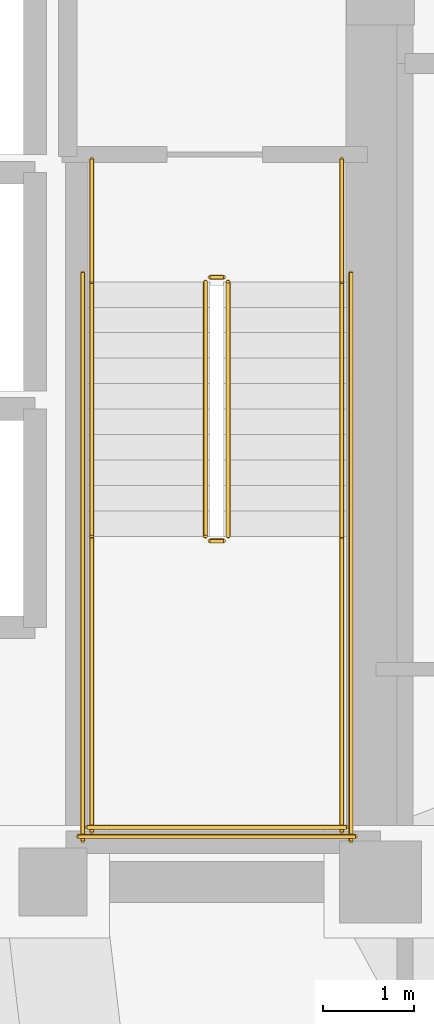
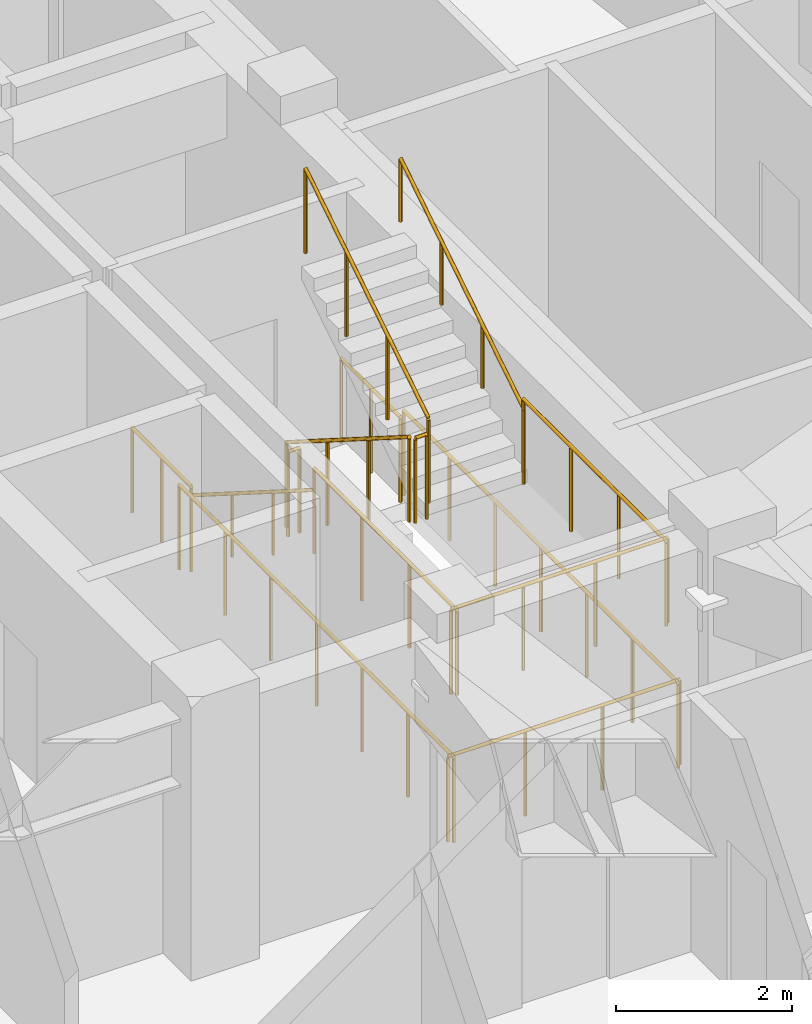
# One storey, part 13 of 13: 14 railings.
"""IFC4 building model written with IfcOpenShell, lengths in metres."""

from ifc_helpers import new_model, si_unit, direction, frame, origin, origin_2d, place, context, subcontext, project, spatial, circle, extrude, material, type_object, element, save


model = new_model("IFC4")

# Units and contexts
model_context = context("Model", 3, precision=1e-05, world=origin(), true_north=direction((0.0, 1.0)))
body_context = subcontext(model_context, "Body", "Model", "MODEL_VIEW")
ifc_project = project(units=[si_unit("LENGTHUNIT", "METRE"), si_unit("AREAUNIT", "SQUARE_METRE"), si_unit("VOLUMEUNIT", "CUBIC_METRE"), si_unit("PLANEANGLEUNIT", "RADIAN"), si_unit("MASSUNIT", "GRAM", prefix="KILO")], contexts=[model_context])

# Site, building, storey
site_placement = place(None, origin())
site = spatial("IfcSite", under=ifc_project, at=site_placement, CompositionType="ELEMENT")
building_placement = place(site_placement, origin())
building = spatial("IfcBuilding", under=site, at=building_placement, Name="Voryun Gate Residences", CompositionType="ELEMENT")
storey_placement = place(building_placement, frame((0.0, 0.0, 191.10009765625)))
storey = spatial("IfcBuildingStorey", under=building, at=storey_placement, Name="L47", CompositionType="ELEMENT", Elevation=191.10009765625)

# Railings
ifc_material_1 = material(Name="Painted steel", Category="steel")
railing_type_1 = type_object("IfcRailingType", Name="RAIL_STAIR_GUARD_1200", PredefinedType="GUARDRAIL", material=ifc_material_1)
railing_1_placement = place(storey_placement, frame((17.27490234375, -0.800048828125, 0.17724609375)))
element("IfcRailing", 1, at=railing_1_placement, inside=storey, type_object=railing_type_1, Name="L47 ST-E1 stair guard 1", PredefinedType="GUARDRAIL", context=body_context, shape_type="SweptSolid", body=[
    extrude(circle(Radius=0.02392578125, at=origin_2d()), frame((0.0, 0.0, 1.17578125), z_axis=(0.0, -0.844908973607, 0.534910110503), x_axis=(1.0, 0.0, 0.0)), (0.0, 0.0, 1.0), 3.31396484375),
    extrude(circle(Radius=0.02099609375, at=origin_2d()), origin(), (0.0, 0.0, 1.0), 1.15185546875),
    extrude(circle(Radius=0.02099609375, at=origin_2d()), frame((0.0, -0.933349609375, 0.5908203125)), (0.0, 0.0, 1.0), 1.15185546875),
    extrude(circle(Radius=0.02099609375, at=origin_2d()), frame((0.0, -1.86669921875, 1.181884765625)), (0.0, 0.0, 1.0), 1.15185546875),
    extrude(circle(Radius=0.02099609375, at=origin_2d()), frame((0.0, -2.800048828125, 1.772705078125)), (0.0, 0.0, 1.0), 1.15185546875),
])
railing_2_placement = place(storey_placement, frame((17.324951171875, -3.64990234375, 1.949951171875)))
element("IfcRailing", 2, at=railing_2_placement, inside=storey, type_object=railing_type_1, Name="L47 ST-E1 stair guard 2", PredefinedType="GUARDRAIL", context=body_context, shape_type="SweptSolid", body=[
    extrude(circle(Radius=0.02392578125, at=origin_2d()), frame((0.0, 0.0, 1.17578125), z_axis=(1.0, 0.0, 0.0), x_axis=(0.0, 1.0, 0.0)), (0.0, 0.0, 1.0), 0.150146484375),
    extrude(circle(Radius=0.02099609375, at=origin_2d()), origin(), (0.0, 0.0, 1.0), 1.15185546875),
    extrude(circle(Radius=0.02099609375, at=origin_2d()), frame((0.150146484375, 0.0, 0.0)), (0.0, 0.0, 1.0), 1.15185546875),
])
for number, where, name in (
    (3, (16.02490234375, -3.60009765625, 1.949951171875), "L47 ST-E1 stair guard 3"),
    (4, (18.77490234375, -3.60009765625, 1.949951171875), "L47 ST-E1 stair guard 4"),
):
    element("IfcRailing", number, at=place(storey_placement, frame(where)), inside=storey, type_object=railing_type_1, Name=name, PredefinedType="GUARDRAIL", context=body_context, shape_type="SweptSolid", body=[
        extrude(circle(Radius=0.02392578125, at=origin_2d()), frame((0.0, 0.0, 1.17578125), z_axis=(0.0, -1.0, 0.0), x_axis=(1.0, 0.0, 0.0)), (0.0, 0.0, 1.0), 3.25),
        extrude(circle(Radius=0.02099609375, at=origin_2d()), origin(), (0.0, 0.0, 1.0), 1.15185546875),
        extrude(circle(Radius=0.02099609375, at=origin_2d()), frame((0.0, -1.083251953125, 0.0)), (0.0, 0.0, 1.0), 1.15185546875),
        extrude(circle(Radius=0.02099609375, at=origin_2d()), frame((0.0, -2.166748046875, 0.0)), (0.0, 0.0, 1.0), 1.15185546875),
        extrude(circle(Radius=0.02099609375, at=origin_2d()), frame((0.0, -3.25, 0.0)), (0.0, 0.0, 1.0), 1.15185546875),
    ])
railing_3_placement = place(storey_placement, frame((15.97509765625, -6.800048828125, 1.949951171875)))
element("IfcRailing", 5, at=railing_3_placement, inside=storey, type_object=railing_type_1, Name="L47 ST-E1 stair guard 5", PredefinedType="GUARDRAIL", context=body_context, shape_type="SweptSolid", body=[
    extrude(circle(Radius=0.02392578125, at=origin_2d()), frame((0.0, 0.0, 1.17578125), z_axis=(1.0, 0.0, 0.0), x_axis=(0.0, 1.0, 0.0)), (0.0, 0.0, 1.0), 2.849853515625),
    extrude(circle(Radius=0.02099609375, at=origin_2d()), origin(), (0.0, 0.0, 1.0), 1.15185546875),
    extrude(circle(Radius=0.02099609375, at=origin_2d()), frame((0.949951171875, 0.0, 0.0)), (0.0, 0.0, 1.0), 1.15185546875),
    extrude(circle(Radius=0.02099609375, at=origin_2d()), frame((1.89990234375, 0.0, 0.0)), (0.0, 0.0, 1.0), 1.15185546875),
    extrude(circle(Radius=0.02099609375, at=origin_2d()), frame((2.849853515625, 0.0, 0.0)), (0.0, 0.0, 1.0), 1.15185546875),
])
railing_4_placement = place(storey_placement, frame((17.52490234375, -3.60009765625, 2.127197265625)))
element("IfcRailing", 6, at=railing_4_placement, inside=storey, type_object=railing_type_1, Name="L47 ST-E1 stair guard 6", PredefinedType="GUARDRAIL", context=body_context, shape_type="SweptSolid", body=[
    extrude(circle(Radius=0.02392578125, at=origin_2d()), frame((0.0, 0.0, 1.17578125), z_axis=(0.0, 0.844908973607, 0.534910110503), x_axis=(-1.0, 0.0, 0.0)), (0.0, 0.0, 1.0), 3.31396484375),
    extrude(circle(Radius=0.02099609375, at=origin_2d()), origin(), (0.0, 0.0, 1.0), 1.15185546875),
    extrude(circle(Radius=0.02099609375, at=origin_2d()), frame((0.0, 0.933349609375, 0.5908203125)), (0.0, 0.0, 1.0), 1.15185546875),
    extrude(circle(Radius=0.02099609375, at=origin_2d()), frame((0.0, 1.86669921875, 1.181884765625)), (0.0, 0.0, 1.0), 1.15185546875),
    extrude(circle(Radius=0.02099609375, at=origin_2d()), frame((0.0, 2.800048828125, 1.772705078125)), (0.0, 0.0, 1.0), 1.15185546875),
])
railing_5_placement = place(storey_placement, frame((17.324951171875, -0.75, 0.0)))
element("IfcRailing", 7, at=railing_5_placement, inside=storey, type_object=railing_type_1, Name="L47 ST-E1 stair guard 7", PredefinedType="GUARDRAIL", context=body_context, shape_type="SweptSolid", body=[
    extrude(circle(Radius=0.02392578125, at=origin_2d()), frame((0.0, 0.0, 1.17578125), z_axis=(1.0, 0.0, 0.0), x_axis=(0.0, 1.0, 0.0)), (0.0, 0.0, 1.0), 0.150146484375),
    extrude(circle(Radius=0.02099609375, at=origin_2d()), origin(), (0.0, 0.0, 1.0), 1.15185546875),
    extrude(circle(Radius=0.02099609375, at=origin_2d()), frame((0.150146484375, 0.0, 0.0)), (0.0, 0.0, 1.0), 1.15185546875),
])
for number, where, name in (
    (8, (16.02490234375, 0.550048828125, 0.0), "L47 ST-E1 stair guard 8"),
    (9, (18.77490234375, 0.550048828125, 0.0), "L47 ST-E1 stair guard 9"),
):
    element("IfcRailing", number, at=place(storey_placement, frame(where)), inside=storey, type_object=railing_type_1, Name=name, PredefinedType="GUARDRAIL", context=body_context, shape_type="SweptSolid", body=[
        extrude(circle(Radius=0.02392578125, at=origin_2d()), frame((0.0, 0.0, 1.17578125), z_axis=(0.0, -1.0, 0.0), x_axis=(1.0, 0.0, 0.0)), (0.0, 0.0, 1.0), 1.35009765625),
        extrude(circle(Radius=0.02099609375, at=origin_2d()), origin(), (0.0, 0.0, 1.0), 1.15185546875),
        extrude(circle(Radius=0.02099609375, at=origin_2d()), frame((0.0, -0.675048828125, 0.0)), (0.0, 0.0, 1.0), 1.15185546875),
        extrude(circle(Radius=0.02099609375, at=origin_2d()), frame((0.0, -1.35009765625, 0.0)), (0.0, 0.0, 1.0), 1.15185546875),
    ])
for number, where, name in (
    (10, (15.925048828125, -0.699951171875, 0.0), "L47 ST-E1 stair guard 10"),
    (11, (18.875, -0.699951171875, 0.0), "L47 ST-E1 stair guard 11"),
):
    element("IfcRailing", number, at=place(storey_placement, frame(where)), inside=storey, type_object=railing_type_1, Name=name, PredefinedType="GUARDRAIL", context=body_context, shape_type="SweptSolid", body=[
        extrude(circle(Radius=0.02392578125, at=origin_2d()), frame((0.0, 0.0, 1.17578125), z_axis=(0.0, -1.0, 0.0), x_axis=(1.0, 0.0, 0.0)), (0.0, 0.0, 1.0), 6.25),
        extrude(circle(Radius=0.02099609375, at=origin_2d()), origin(), (0.0, 0.0, 1.0), 1.15185546875),
        extrude(circle(Radius=0.02099609375, at=origin_2d()), frame((0.0, -1.041748046875, 0.0)), (0.0, 0.0, 1.0), 1.15185546875),
        extrude(circle(Radius=0.02099609375, at=origin_2d()), frame((0.0, -2.083251953125, 0.0)), (0.0, 0.0, 1.0), 1.15185546875),
        extrude(circle(Radius=0.02099609375, at=origin_2d()), frame((0.0, -3.125, 0.0)), (0.0, 0.0, 1.0), 1.15185546875),
        extrude(circle(Radius=0.02099609375, at=origin_2d()), frame((0.0, -4.166748046875, 0.0)), (0.0, 0.0, 1.0), 1.15185546875),
        extrude(circle(Radius=0.02099609375, at=origin_2d()), frame((0.0, -5.208251953125, 0.0)), (0.0, 0.0, 1.0), 1.15185546875),
        extrude(circle(Radius=0.02099609375, at=origin_2d()), frame((0.0, -6.25, 0.0)), (0.0, 0.0, 1.0), 1.15185546875),
    ])
railing_6_placement = place(storey_placement, frame((15.875, -6.89990234375, 0.0)))
element("IfcRailing", 12, at=railing_6_placement, inside=storey, type_object=railing_type_1, Name="L47 ST-E1 stair guard 12", PredefinedType="GUARDRAIL", context=body_context, shape_type="SweptSolid", body=[
    extrude(circle(Radius=0.02392578125, at=origin_2d()), frame((0.0, 0.0, 1.17578125), z_axis=(1.0, 0.0, 0.0), x_axis=(0.0, 1.0, 0.0)), (0.0, 0.0, 1.0), 3.050048828125),
    extrude(circle(Radius=0.02099609375, at=origin_2d()), origin(), (0.0, 0.0, 1.0), 1.15185546875),
    extrude(circle(Radius=0.02099609375, at=origin_2d()), frame((1.0166015625, 0.0, 0.0)), (0.0, 0.0, 1.0), 1.15185546875),
    extrude(circle(Radius=0.02099609375, at=origin_2d()), frame((2.033447265625, 0.0, 0.0)), (0.0, 0.0, 1.0), 1.15185546875),
    extrude(circle(Radius=0.02099609375, at=origin_2d()), frame((3.050048828125, 0.0, 0.0)), (0.0, 0.0, 1.0), 1.15185546875),
])
ifc_material_2 = material(Name="Painted steel", Category="steel")
railing_type_2 = type_object("IfcRailingType", Name="RAIL_STAIR_HANDRAIL_900", PredefinedType="HANDRAIL", material=ifc_material_2)
railing_7_placement = place(storey_placement, frame((16.02490234375, -0.800048828125, 0.17724609375)))
element("IfcRailing", 13, at=railing_7_placement, inside=storey, type_object=railing_type_2, Name="L47 ST-E1 stair handrail 1", PredefinedType="HANDRAIL", context=body_context, shape_type="SweptSolid", body=[
    extrude(circle(Radius=0.02392578125, at=origin_2d()), frame((0.0, 0.0, 0.8759765625), z_axis=(0.0, -0.844908973607, 0.534910110503), x_axis=(1.0, 0.0, 0.0)), (0.0, 0.0, 1.0), 3.31396484375),
    extrude(circle(Radius=0.02099609375, at=origin_2d()), origin(), (0.0, 0.0, 1.0), 0.851806640625),
    extrude(circle(Radius=0.02099609375, at=origin_2d()), frame((0.0, -0.933349609375, 0.5908203125)), (0.0, 0.0, 1.0), 0.851806640625),
    extrude(circle(Radius=0.02099609375, at=origin_2d()), frame((0.0, -1.86669921875, 1.181884765625)), (0.0, 0.0, 1.0), 0.851806640625),
    extrude(circle(Radius=0.02099609375, at=origin_2d()), frame((0.0, -2.800048828125, 1.772705078125)), (0.0, 0.0, 1.0), 0.851806640625),
])
railing_8_placement = place(storey_placement, frame((18.77490234375, -3.60009765625, 2.127197265625)))
element("IfcRailing", 14, at=railing_8_placement, inside=storey, type_object=railing_type_2, Name="L47 ST-E1 stair handrail 2", PredefinedType="HANDRAIL", context=body_context, shape_type="SweptSolid", body=[
    extrude(circle(Radius=0.02392578125, at=origin_2d()), frame((0.0, 0.0, 0.8759765625), z_axis=(0.0, 0.844908973607, 0.534910110503), x_axis=(-1.0, 0.0, 0.0)), (0.0, 0.0, 1.0), 3.31396484375),
    extrude(circle(Radius=0.02099609375, at=origin_2d()), origin(), (0.0, 0.0, 1.0), 0.851806640625),
    extrude(circle(Radius=0.02099609375, at=origin_2d()), frame((0.0, 0.933349609375, 0.5908203125)), (0.0, 0.0, 1.0), 0.851806640625),
    extrude(circle(Radius=0.02099609375, at=origin_2d()), frame((0.0, 1.86669921875, 1.181884765625)), (0.0, 0.0, 1.0), 0.851806640625),
    extrude(circle(Radius=0.02099609375, at=origin_2d()), frame((0.0, 2.800048828125, 1.772705078125)), (0.0, 0.0, 1.0), 0.851806640625),
])

save(model, "model.ifc")
